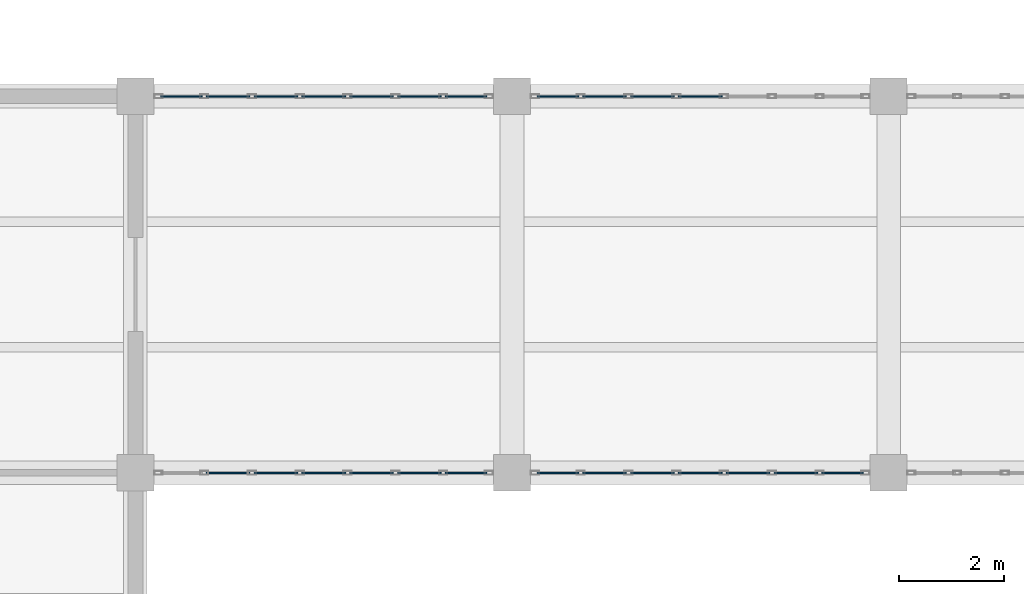
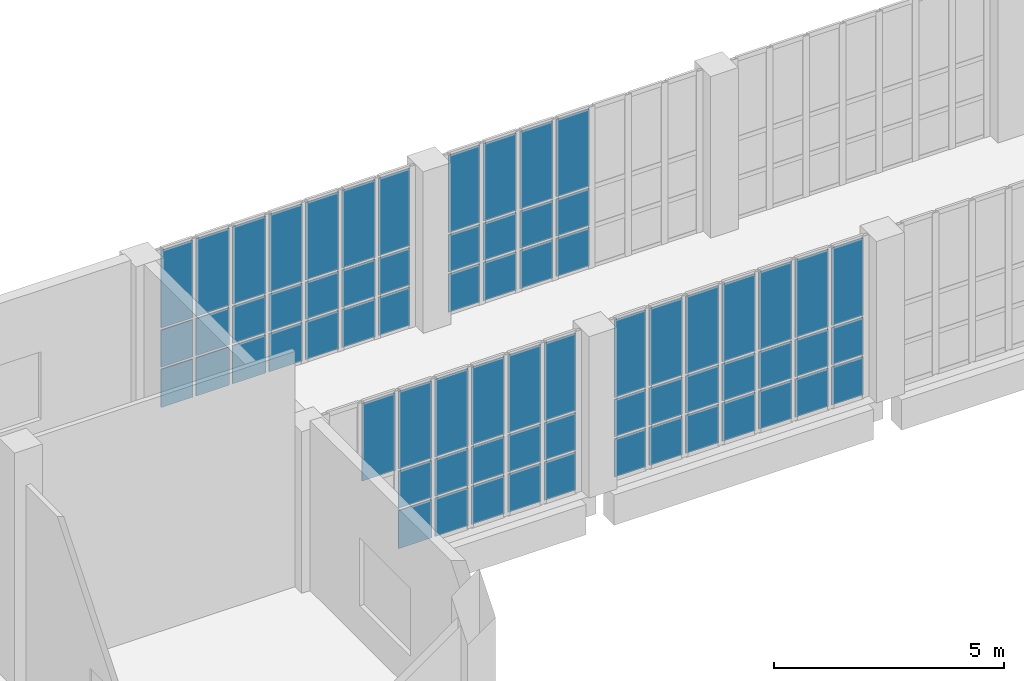
# One storey, part 74 of 108: 70 plates, 4 elements without a shape of their own.
"""IFC4 building model written with IfcOpenShell, lengths in metres."""

from ifc_helpers import new_model, si_unit, direction, frame, origin, origin_2d, place, context, subcontext, project, spatial, rectangle, extrude, material, layer, layer_set, type_object, element, aggregate, save


model = new_model("IFC4")

# Units and contexts
model_context = context("Model", 3, precision=1e-05, world=origin(), true_north=direction((0.0, 1.0)))
body_context = subcontext(model_context, "Body", "Model", "MODEL_VIEW")
ifc_project = project(units=[si_unit("LENGTHUNIT", "METRE"), si_unit("AREAUNIT", "SQUARE_METRE"), si_unit("VOLUMEUNIT", "CUBIC_METRE"), si_unit("PLANEANGLEUNIT", "RADIAN"), si_unit("MASSUNIT", "GRAM", prefix="KILO"), si_unit("THERMODYNAMICTEMPERATUREUNIT", "KELVIN"), si_unit("POWERUNIT", "WATT")], contexts=[model_context])

# Site, building, storey
site_placement = place(None, origin())
site = spatial("IfcSite", under=ifc_project, at=site_placement, CompositionType="ELEMENT")
building_placement = place(site_placement, origin())
building = spatial("IfcBuilding", under=site, at=building_placement, Name="Kaldorven Railside Theatre", CompositionType="ELEMENT")
storey_placement = place(building_placement, frame((0.0, 0.0, 5.39990234375)))
storey = spatial("IfcBuildingStorey", under=building, at=storey_placement, Name="L01", CompositionType="ELEMENT", Elevation=5.39990234375)

# Curtain wall, plates
ifc_material = material(Name="Low-E laminated solar-control glass", Category="glass")
ifc_layer_1 = layer(ifc_material, 0.159912109375, Name="Low-E laminated solar-control glass")
ifc_layer_set_1 = layer_set([ifc_layer_1], Name="Low-E laminated solar-control glass")
curtain_wall_type = type_object("IfcCurtainWallType", Name="CWT-25", PredefinedType="USERDEFINED", material=ifc_layer_set_1)
curtain_wall_1_placement = place(storey_placement, origin())
curtain_wall_1 = element("IfcCurtainWall", 1, at=curtain_wall_1_placement, inside=storey, type_object=curtain_wall_type, Name="Sinusoidal Fluted Curtain Wall CW-L01-BS01", ObjectType="FLUTED GLAZING", PredefinedType="USERDEFINED")
ifc_layer_2 = layer(ifc_material, 0.028076171875, Name="Low-E laminated solar-control glass")
ifc_layer_set_2 = layer_set([ifc_layer_2], Name="Low-E laminated solar-control glass")
plate_type = type_object("IfcPlateType", Name="CWP-GLZ28", PredefinedType="CURTAIN_PANEL", material=ifc_layer_set_2)
plate_1_placement = place(storey_placement, frame((45.771484375, 69.60009765625, 2.169921875), z_axis=(0.0, 0.0, 1.0), x_axis=(1.0, 0.0, 0.0)))
plate_1 = element("IfcPlate", 2, at=plate_1_placement, type_object=plate_type, Name="CW-L01-BS01 panel 2.3", PredefinedType="CURTAIN_PANEL", context=body_context, shape_type="SweptSolid", body=[
    extrude(rectangle(XDim=0.834228515625, YDim=0.028076171875, at=origin_2d()), origin(), (0.0, 0.0, 1.0), 2.050048828125),
])
plate_2_placement = place(storey_placement, frame((46.685791015625, 69.60009765625, 0.06005859375), z_axis=(0.0, 0.0, 1.0), x_axis=(1.0, 0.0, 0.0)))
plate_2 = element("IfcPlate", 3, at=plate_2_placement, type_object=plate_type, Name="CW-L01-BS01 panel 3.1", PredefinedType="CURTAIN_PANEL", context=body_context, shape_type="SweptSolid", body=[
    extrude(rectangle(XDim=0.834228515625, YDim=0.028076171875, at=origin_2d()), origin(), (0.0, 0.0, 1.0), 1.010009765625),
])
plate_3_placement = place(storey_placement, frame((46.685791015625, 69.60009765625, 1.130126953125), z_axis=(0.0, 0.0, 1.0), x_axis=(1.0, 0.0, 0.0)))
plate_3 = element("IfcPlate", 4, at=plate_3_placement, type_object=plate_type, Name="CW-L01-BS01 panel 3.2", PredefinedType="CURTAIN_PANEL", context=body_context, shape_type="SweptSolid", body=[
    extrude(rectangle(XDim=0.834228515625, YDim=0.028076171875, at=origin_2d()), origin(), (0.0, 0.0, 1.0), 0.97998046875),
])
plate_4_placement = place(storey_placement, frame((46.685791015625, 69.60009765625, 2.169921875), z_axis=(0.0, 0.0, 1.0), x_axis=(1.0, 0.0, 0.0)))
plate_4 = element("IfcPlate", 5, at=plate_4_placement, type_object=plate_type, Name="CW-L01-BS01 panel 3.3", PredefinedType="CURTAIN_PANEL", context=body_context, shape_type="SweptSolid", body=[
    extrude(rectangle(XDim=0.834228515625, YDim=0.028076171875, at=origin_2d()), origin(), (0.0, 0.0, 1.0), 2.050048828125),
])
plate_5_placement = place(storey_placement, frame((47.60009765625, 69.60009765625, 0.06005859375), z_axis=(0.0, 0.0, 1.0), x_axis=(1.0, 0.0, 0.0)))
plate_5 = element("IfcPlate", 6, at=plate_5_placement, type_object=plate_type, Name="CW-L01-BS01 panel 4.1", PredefinedType="CURTAIN_PANEL", context=body_context, shape_type="SweptSolid", body=[
    extrude(rectangle(XDim=0.834228515625, YDim=0.028076171875, at=origin_2d()), origin(), (0.0, 0.0, 1.0), 1.010009765625),
])
plate_6_placement = place(storey_placement, frame((47.60009765625, 69.60009765625, 1.130126953125), z_axis=(0.0, 0.0, 1.0), x_axis=(1.0, 0.0, 0.0)))
plate_6 = element("IfcPlate", 7, at=plate_6_placement, type_object=plate_type, Name="CW-L01-BS01 panel 4.2", PredefinedType="CURTAIN_PANEL", context=body_context, shape_type="SweptSolid", body=[
    extrude(rectangle(XDim=0.834228515625, YDim=0.028076171875, at=origin_2d()), origin(), (0.0, 0.0, 1.0), 0.97998046875),
])
plate_7_placement = place(storey_placement, frame((47.60009765625, 69.60009765625, 2.169921875), z_axis=(0.0, 0.0, 1.0), x_axis=(1.0, 0.0, 0.0)))
plate_7 = element("IfcPlate", 8, at=plate_7_placement, type_object=plate_type, Name="CW-L01-BS01 panel 4.3", PredefinedType="CURTAIN_PANEL", context=body_context, shape_type="SweptSolid", body=[
    extrude(rectangle(XDim=0.834228515625, YDim=0.028076171875, at=origin_2d()), origin(), (0.0, 0.0, 1.0), 2.050048828125),
])
plate_8_placement = place(storey_placement, frame((48.514404296875, 69.60009765625, 0.06005859375), z_axis=(0.0, 0.0, 1.0), x_axis=(1.0, 0.0, 0.0)))
plate_8 = element("IfcPlate", 9, at=plate_8_placement, type_object=plate_type, Name="CW-L01-BS01 panel 5.1", PredefinedType="CURTAIN_PANEL", context=body_context, shape_type="SweptSolid", body=[
    extrude(rectangle(XDim=0.834228515625, YDim=0.028076171875, at=origin_2d()), origin(), (0.0, 0.0, 1.0), 1.010009765625),
])
plate_9_placement = place(storey_placement, frame((48.514404296875, 69.60009765625, 1.130126953125), z_axis=(0.0, 0.0, 1.0), x_axis=(1.0, 0.0, 0.0)))
plate_9 = element("IfcPlate", 10, at=plate_9_placement, type_object=plate_type, Name="CW-L01-BS01 panel 5.2", PredefinedType="CURTAIN_PANEL", context=body_context, shape_type="SweptSolid", body=[
    extrude(rectangle(XDim=0.834228515625, YDim=0.028076171875, at=origin_2d()), origin(), (0.0, 0.0, 1.0), 0.97998046875),
])
plate_10_placement = place(storey_placement, frame((48.514404296875, 69.60009765625, 2.169921875), z_axis=(0.0, 0.0, 1.0), x_axis=(1.0, 0.0, 0.0)))
plate_10 = element("IfcPlate", 11, at=plate_10_placement, type_object=plate_type, Name="CW-L01-BS01 panel 5.3", PredefinedType="CURTAIN_PANEL", context=body_context, shape_type="SweptSolid", body=[
    extrude(rectangle(XDim=0.834228515625, YDim=0.028076171875, at=origin_2d()), origin(), (0.0, 0.0, 1.0), 2.050048828125),
])
plate_11_placement = place(storey_placement, frame((49.428466796875, 69.60009765625, 0.06005859375), z_axis=(0.0, 0.0, 1.0), x_axis=(1.0, 0.0, 0.0)))
plate_11 = element("IfcPlate", 12, at=plate_11_placement, type_object=plate_type, Name="CW-L01-BS01 panel 6.1", PredefinedType="CURTAIN_PANEL", context=body_context, shape_type="SweptSolid", body=[
    extrude(rectangle(XDim=0.834228515625, YDim=0.028076171875, at=origin_2d()), origin(), (0.0, 0.0, 1.0), 1.010009765625),
])
plate_12_placement = place(storey_placement, frame((49.428466796875, 69.60009765625, 1.130126953125), z_axis=(0.0, 0.0, 1.0), x_axis=(1.0, 0.0, 0.0)))
plate_12 = element("IfcPlate", 13, at=plate_12_placement, type_object=plate_type, Name="CW-L01-BS01 panel 6.2", PredefinedType="CURTAIN_PANEL", context=body_context, shape_type="SweptSolid", body=[
    extrude(rectangle(XDim=0.834228515625, YDim=0.028076171875, at=origin_2d()), origin(), (0.0, 0.0, 1.0), 0.97998046875),
])
plate_13_placement = place(storey_placement, frame((49.428466796875, 69.60009765625, 2.169921875), z_axis=(0.0, 0.0, 1.0), x_axis=(1.0, 0.0, 0.0)))
plate_13 = element("IfcPlate", 14, at=plate_13_placement, type_object=plate_type, Name="CW-L01-BS01 panel 6.3", PredefinedType="CURTAIN_PANEL", context=body_context, shape_type="SweptSolid", body=[
    extrude(rectangle(XDim=0.834228515625, YDim=0.028076171875, at=origin_2d()), origin(), (0.0, 0.0, 1.0), 2.050048828125),
])
plate_14_placement = place(storey_placement, frame((50.32275390625, 69.60009765625, 0.06005859375), z_axis=(0.0, 0.0, 1.0), x_axis=(1.0, 0.0, 0.0)))
plate_14 = element("IfcPlate", 15, at=plate_14_placement, type_object=plate_type, Name="CW-L01-BS01 panel 7.1", PredefinedType="CURTAIN_PANEL", context=body_context, shape_type="SweptSolid", body=[
    extrude(rectangle(XDim=0.794189453125, YDim=0.028076171875, at=origin_2d()), origin(), (0.0, 0.0, 1.0), 1.010009765625),
])
plate_15_placement = place(storey_placement, frame((50.32275390625, 69.60009765625, 1.130126953125), z_axis=(0.0, 0.0, 1.0), x_axis=(1.0, 0.0, 0.0)))
plate_15 = element("IfcPlate", 16, at=plate_15_placement, type_object=plate_type, Name="CW-L01-BS01 panel 7.2", PredefinedType="CURTAIN_PANEL", context=body_context, shape_type="SweptSolid", body=[
    extrude(rectangle(XDim=0.794189453125, YDim=0.028076171875, at=origin_2d()), origin(), (0.0, 0.0, 1.0), 0.97998046875),
])
plate_16_placement = place(storey_placement, frame((50.32275390625, 69.60009765625, 2.169921875), z_axis=(0.0, 0.0, 1.0), x_axis=(1.0, 0.0, 0.0)))
plate_16 = element("IfcPlate", 17, at=plate_16_placement, type_object=plate_type, Name="CW-L01-BS01 panel 7.3", PredefinedType="CURTAIN_PANEL", context=body_context, shape_type="SweptSolid", body=[
    extrude(rectangle(XDim=0.794189453125, YDim=0.028076171875, at=origin_2d()), origin(), (0.0, 0.0, 1.0), 2.050048828125),
])
aggregate(curtain_wall_1, [plate_1, plate_2, plate_3, plate_4, plate_5, plate_6, plate_7, plate_8, plate_9, plate_10, plate_11, plate_12, plate_13, plate_14, plate_15, plate_16])

curtain_wall_2_placement = place(storey_placement, origin())
curtain_wall_2 = element("IfcCurtainWall", 18, at=curtain_wall_2_placement, inside=storey, type_object=curtain_wall_type, Name="Sinusoidal Fluted Curtain Wall CW-L01-BN01", ObjectType="FLUTED GLAZING", PredefinedType="USERDEFINED")
plate_17_placement = place(storey_placement, frame((44.877197265625, 76.800048828125, 0.06005859375), z_axis=(0.0, 0.0, 1.0), x_axis=(1.0, 0.0, 0.0)))
plate_17 = element("IfcPlate", 19, at=plate_17_placement, type_object=plate_type, Name="CW-L01-BN01 panel 1.1", PredefinedType="CURTAIN_PANEL", context=body_context, shape_type="SweptSolid", body=[
    extrude(rectangle(XDim=0.794189453125, YDim=0.028076171875, at=origin_2d()), origin(), (0.0, 0.0, 1.0), 1.010009765625),
])
plate_18_placement = place(storey_placement, frame((44.877197265625, 76.800048828125, 1.130126953125), z_axis=(0.0, 0.0, 1.0), x_axis=(1.0, 0.0, 0.0)))
plate_18 = element("IfcPlate", 20, at=plate_18_placement, type_object=plate_type, Name="CW-L01-BN01 panel 1.2", PredefinedType="CURTAIN_PANEL", context=body_context, shape_type="SweptSolid", body=[
    extrude(rectangle(XDim=0.794189453125, YDim=0.028076171875, at=origin_2d()), origin(), (0.0, 0.0, 1.0), 0.97998046875),
])
plate_19_placement = place(storey_placement, frame((44.877197265625, 76.800048828125, 2.169921875), z_axis=(0.0, 0.0, 1.0), x_axis=(1.0, 0.0, 0.0)))
plate_19 = element("IfcPlate", 21, at=plate_19_placement, type_object=plate_type, Name="CW-L01-BN01 panel 1.3", PredefinedType="CURTAIN_PANEL", context=body_context, shape_type="SweptSolid", body=[
    extrude(rectangle(XDim=0.794189453125, YDim=0.028076171875, at=origin_2d()), origin(), (0.0, 0.0, 1.0), 2.050048828125),
])
plate_20_placement = place(storey_placement, frame((45.771484375, 76.800048828125, 0.06005859375), z_axis=(0.0, 0.0, 1.0), x_axis=(1.0, 0.0, 0.0)))
plate_20 = element("IfcPlate", 22, at=plate_20_placement, type_object=plate_type, Name="CW-L01-BN01 panel 2.1", PredefinedType="CURTAIN_PANEL", context=body_context, shape_type="SweptSolid", body=[
    extrude(rectangle(XDim=0.834228515625, YDim=0.028076171875, at=origin_2d()), origin(), (0.0, 0.0, 1.0), 1.010009765625),
])
plate_21_placement = place(storey_placement, frame((45.771484375, 76.800048828125, 1.130126953125), z_axis=(0.0, 0.0, 1.0), x_axis=(1.0, 0.0, 0.0)))
plate_21 = element("IfcPlate", 23, at=plate_21_placement, type_object=plate_type, Name="CW-L01-BN01 panel 2.2", PredefinedType="CURTAIN_PANEL", context=body_context, shape_type="SweptSolid", body=[
    extrude(rectangle(XDim=0.834228515625, YDim=0.028076171875, at=origin_2d()), origin(), (0.0, 0.0, 1.0), 0.97998046875),
])
plate_22_placement = place(storey_placement, frame((45.771484375, 76.800048828125, 2.169921875), z_axis=(0.0, 0.0, 1.0), x_axis=(1.0, 0.0, 0.0)))
plate_22 = element("IfcPlate", 24, at=plate_22_placement, type_object=plate_type, Name="CW-L01-BN01 panel 2.3", PredefinedType="CURTAIN_PANEL", context=body_context, shape_type="SweptSolid", body=[
    extrude(rectangle(XDim=0.834228515625, YDim=0.028076171875, at=origin_2d()), origin(), (0.0, 0.0, 1.0), 2.050048828125),
])
plate_23_placement = place(storey_placement, frame((46.685791015625, 76.800048828125, 0.06005859375), z_axis=(0.0, 0.0, 1.0), x_axis=(1.0, 0.0, 0.0)))
plate_23 = element("IfcPlate", 25, at=plate_23_placement, type_object=plate_type, Name="CW-L01-BN01 panel 3.1", PredefinedType="CURTAIN_PANEL", context=body_context, shape_type="SweptSolid", body=[
    extrude(rectangle(XDim=0.834228515625, YDim=0.028076171875, at=origin_2d()), origin(), (0.0, 0.0, 1.0), 1.010009765625),
])
plate_24_placement = place(storey_placement, frame((46.685791015625, 76.800048828125, 1.130126953125), z_axis=(0.0, 0.0, 1.0), x_axis=(1.0, 0.0, 0.0)))
plate_24 = element("IfcPlate", 26, at=plate_24_placement, type_object=plate_type, Name="CW-L01-BN01 panel 3.2", PredefinedType="CURTAIN_PANEL", context=body_context, shape_type="SweptSolid", body=[
    extrude(rectangle(XDim=0.834228515625, YDim=0.028076171875, at=origin_2d()), origin(), (0.0, 0.0, 1.0), 0.97998046875),
])
plate_25_placement = place(storey_placement, frame((46.685791015625, 76.800048828125, 2.169921875), z_axis=(0.0, 0.0, 1.0), x_axis=(1.0, 0.0, 0.0)))
plate_25 = element("IfcPlate", 27, at=plate_25_placement, type_object=plate_type, Name="CW-L01-BN01 panel 3.3", PredefinedType="CURTAIN_PANEL", context=body_context, shape_type="SweptSolid", body=[
    extrude(rectangle(XDim=0.834228515625, YDim=0.028076171875, at=origin_2d()), origin(), (0.0, 0.0, 1.0), 2.050048828125),
])
plate_26_placement = place(storey_placement, frame((47.60009765625, 76.800048828125, 0.06005859375), z_axis=(0.0, 0.0, 1.0), x_axis=(1.0, 0.0, 0.0)))
plate_26 = element("IfcPlate", 28, at=plate_26_placement, type_object=plate_type, Name="CW-L01-BN01 panel 4.1", PredefinedType="CURTAIN_PANEL", context=body_context, shape_type="SweptSolid", body=[
    extrude(rectangle(XDim=0.834228515625, YDim=0.028076171875, at=origin_2d()), origin(), (0.0, 0.0, 1.0), 1.010009765625),
])
plate_27_placement = place(storey_placement, frame((47.60009765625, 76.800048828125, 1.130126953125), z_axis=(0.0, 0.0, 1.0), x_axis=(1.0, 0.0, 0.0)))
plate_27 = element("IfcPlate", 29, at=plate_27_placement, type_object=plate_type, Name="CW-L01-BN01 panel 4.2", PredefinedType="CURTAIN_PANEL", context=body_context, shape_type="SweptSolid", body=[
    extrude(rectangle(XDim=0.834228515625, YDim=0.028076171875, at=origin_2d()), origin(), (0.0, 0.0, 1.0), 0.97998046875),
])
plate_28_placement = place(storey_placement, frame((47.60009765625, 76.800048828125, 2.169921875), z_axis=(0.0, 0.0, 1.0), x_axis=(1.0, 0.0, 0.0)))
plate_28 = element("IfcPlate", 30, at=plate_28_placement, type_object=plate_type, Name="CW-L01-BN01 panel 4.3", PredefinedType="CURTAIN_PANEL", context=body_context, shape_type="SweptSolid", body=[
    extrude(rectangle(XDim=0.834228515625, YDim=0.028076171875, at=origin_2d()), origin(), (0.0, 0.0, 1.0), 2.050048828125),
])
plate_29_placement = place(storey_placement, frame((48.514404296875, 76.800048828125, 0.06005859375), z_axis=(0.0, 0.0, 1.0), x_axis=(1.0, 0.0, 0.0)))
plate_29 = element("IfcPlate", 31, at=plate_29_placement, type_object=plate_type, Name="CW-L01-BN01 panel 5.1", PredefinedType="CURTAIN_PANEL", context=body_context, shape_type="SweptSolid", body=[
    extrude(rectangle(XDim=0.834228515625, YDim=0.028076171875, at=origin_2d()), origin(), (0.0, 0.0, 1.0), 1.010009765625),
])
plate_30_placement = place(storey_placement, frame((48.514404296875, 76.800048828125, 1.130126953125), z_axis=(0.0, 0.0, 1.0), x_axis=(1.0, 0.0, 0.0)))
plate_30 = element("IfcPlate", 32, at=plate_30_placement, type_object=plate_type, Name="CW-L01-BN01 panel 5.2", PredefinedType="CURTAIN_PANEL", context=body_context, shape_type="SweptSolid", body=[
    extrude(rectangle(XDim=0.834228515625, YDim=0.028076171875, at=origin_2d()), origin(), (0.0, 0.0, 1.0), 0.97998046875),
])
plate_31_placement = place(storey_placement, frame((48.514404296875, 76.800048828125, 2.169921875), z_axis=(0.0, 0.0, 1.0), x_axis=(1.0, 0.0, 0.0)))
plate_31 = element("IfcPlate", 33, at=plate_31_placement, type_object=plate_type, Name="CW-L01-BN01 panel 5.3", PredefinedType="CURTAIN_PANEL", context=body_context, shape_type="SweptSolid", body=[
    extrude(rectangle(XDim=0.834228515625, YDim=0.028076171875, at=origin_2d()), origin(), (0.0, 0.0, 1.0), 2.050048828125),
])
plate_32_placement = place(storey_placement, frame((49.428466796875, 76.800048828125, 0.06005859375), z_axis=(0.0, 0.0, 1.0), x_axis=(1.0, 0.0, 0.0)))
plate_32 = element("IfcPlate", 34, at=plate_32_placement, type_object=plate_type, Name="CW-L01-BN01 panel 6.1", PredefinedType="CURTAIN_PANEL", context=body_context, shape_type="SweptSolid", body=[
    extrude(rectangle(XDim=0.834228515625, YDim=0.028076171875, at=origin_2d()), origin(), (0.0, 0.0, 1.0), 1.010009765625),
])
plate_33_placement = place(storey_placement, frame((49.428466796875, 76.800048828125, 1.130126953125), z_axis=(0.0, 0.0, 1.0), x_axis=(1.0, 0.0, 0.0)))
plate_33 = element("IfcPlate", 35, at=plate_33_placement, type_object=plate_type, Name="CW-L01-BN01 panel 6.2", PredefinedType="CURTAIN_PANEL", context=body_context, shape_type="SweptSolid", body=[
    extrude(rectangle(XDim=0.834228515625, YDim=0.028076171875, at=origin_2d()), origin(), (0.0, 0.0, 1.0), 0.97998046875),
])
plate_34_placement = place(storey_placement, frame((49.428466796875, 76.800048828125, 2.169921875), z_axis=(0.0, 0.0, 1.0), x_axis=(1.0, 0.0, 0.0)))
plate_34 = element("IfcPlate", 36, at=plate_34_placement, type_object=plate_type, Name="CW-L01-BN01 panel 6.3", PredefinedType="CURTAIN_PANEL", context=body_context, shape_type="SweptSolid", body=[
    extrude(rectangle(XDim=0.834228515625, YDim=0.028076171875, at=origin_2d()), origin(), (0.0, 0.0, 1.0), 2.050048828125),
])
plate_35_placement = place(storey_placement, frame((50.32275390625, 76.800048828125, 0.06005859375), z_axis=(0.0, 0.0, 1.0), x_axis=(1.0, 0.0, 0.0)))
plate_35 = element("IfcPlate", 37, at=plate_35_placement, type_object=plate_type, Name="CW-L01-BN01 panel 7.1", PredefinedType="CURTAIN_PANEL", context=body_context, shape_type="SweptSolid", body=[
    extrude(rectangle(XDim=0.794189453125, YDim=0.028076171875, at=origin_2d()), origin(), (0.0, 0.0, 1.0), 1.010009765625),
])
plate_36_placement = place(storey_placement, frame((50.32275390625, 76.800048828125, 1.130126953125), z_axis=(0.0, 0.0, 1.0), x_axis=(1.0, 0.0, 0.0)))
plate_36 = element("IfcPlate", 38, at=plate_36_placement, type_object=plate_type, Name="CW-L01-BN01 panel 7.2", PredefinedType="CURTAIN_PANEL", context=body_context, shape_type="SweptSolid", body=[
    extrude(rectangle(XDim=0.794189453125, YDim=0.028076171875, at=origin_2d()), origin(), (0.0, 0.0, 1.0), 0.97998046875),
])
plate_37_placement = place(storey_placement, frame((50.32275390625, 76.800048828125, 2.169921875), z_axis=(0.0, 0.0, 1.0), x_axis=(1.0, 0.0, 0.0)))
plate_37 = element("IfcPlate", 39, at=plate_37_placement, type_object=plate_type, Name="CW-L01-BN01 panel 7.3", PredefinedType="CURTAIN_PANEL", context=body_context, shape_type="SweptSolid", body=[
    extrude(rectangle(XDim=0.794189453125, YDim=0.028076171875, at=origin_2d()), origin(), (0.0, 0.0, 1.0), 2.050048828125),
])
aggregate(curtain_wall_2, [plate_17, plate_18, plate_19, plate_20, plate_21, plate_22, plate_23, plate_24, plate_25, plate_26, plate_27, plate_28, plate_29, plate_30, plate_31, plate_32, plate_33, plate_34, plate_35, plate_36, plate_37])

curtain_wall_3_placement = place(storey_placement, origin())
curtain_wall_3 = element("IfcCurtainWall", 40, at=curtain_wall_3_placement, inside=storey, type_object=curtain_wall_type, Name="Sinusoidal Fluted Curtain Wall CW-L01-BS02", ObjectType="FLUTED GLAZING", PredefinedType="USERDEFINED")
plate_38_placement = place(storey_placement, frame((52.0771484375, 69.60009765625, 0.06005859375), z_axis=(0.0, 0.0, 1.0), x_axis=(1.0, 0.0, 0.0)))
plate_38 = element("IfcPlate", 41, at=plate_38_placement, type_object=plate_type, Name="CW-L01-BS02 panel 1.1", PredefinedType="CURTAIN_PANEL", context=body_context, shape_type="SweptSolid", body=[
    extrude(rectangle(XDim=0.794189453125, YDim=0.028076171875, at=origin_2d()), origin(), (0.0, 0.0, 1.0), 1.010009765625),
])
plate_39_placement = place(storey_placement, frame((52.0771484375, 69.60009765625, 1.130126953125), z_axis=(0.0, 0.0, 1.0), x_axis=(1.0, 0.0, 0.0)))
plate_39 = element("IfcPlate", 42, at=plate_39_placement, type_object=plate_type, Name="CW-L01-BS02 panel 1.2", PredefinedType="CURTAIN_PANEL", context=body_context, shape_type="SweptSolid", body=[
    extrude(rectangle(XDim=0.794189453125, YDim=0.028076171875, at=origin_2d()), origin(), (0.0, 0.0, 1.0), 0.97998046875),
])
plate_40_placement = place(storey_placement, frame((52.0771484375, 69.60009765625, 2.169921875), z_axis=(0.0, 0.0, 1.0), x_axis=(1.0, 0.0, 0.0)))
plate_40 = element("IfcPlate", 43, at=plate_40_placement, type_object=plate_type, Name="CW-L01-BS02 panel 1.3", PredefinedType="CURTAIN_PANEL", context=body_context, shape_type="SweptSolid", body=[
    extrude(rectangle(XDim=0.794189453125, YDim=0.028076171875, at=origin_2d()), origin(), (0.0, 0.0, 1.0), 2.050048828125),
])
plate_41_placement = place(storey_placement, frame((52.971435546875, 69.60009765625, 0.06005859375), z_axis=(0.0, 0.0, 1.0), x_axis=(1.0, 0.0, 0.0)))
plate_41 = element("IfcPlate", 44, at=plate_41_placement, type_object=plate_type, Name="CW-L01-BS02 panel 2.1", PredefinedType="CURTAIN_PANEL", context=body_context, shape_type="SweptSolid", body=[
    extrude(rectangle(XDim=0.834228515625, YDim=0.028076171875, at=origin_2d()), origin(), (0.0, 0.0, 1.0), 1.010009765625),
])
plate_42_placement = place(storey_placement, frame((52.971435546875, 69.60009765625, 1.130126953125), z_axis=(0.0, 0.0, 1.0), x_axis=(1.0, 0.0, 0.0)))
plate_42 = element("IfcPlate", 45, at=plate_42_placement, type_object=plate_type, Name="CW-L01-BS02 panel 2.2", PredefinedType="CURTAIN_PANEL", context=body_context, shape_type="SweptSolid", body=[
    extrude(rectangle(XDim=0.834228515625, YDim=0.028076171875, at=origin_2d()), origin(), (0.0, 0.0, 1.0), 0.97998046875),
])
plate_43_placement = place(storey_placement, frame((52.971435546875, 69.60009765625, 2.169921875), z_axis=(0.0, 0.0, 1.0), x_axis=(1.0, 0.0, 0.0)))
plate_43 = element("IfcPlate", 46, at=plate_43_placement, type_object=plate_type, Name="CW-L01-BS02 panel 2.3", PredefinedType="CURTAIN_PANEL", context=body_context, shape_type="SweptSolid", body=[
    extrude(rectangle(XDim=0.834228515625, YDim=0.028076171875, at=origin_2d()), origin(), (0.0, 0.0, 1.0), 2.050048828125),
])
plate_44_placement = place(storey_placement, frame((53.8857421875, 69.60009765625, 0.06005859375), z_axis=(0.0, 0.0, 1.0), x_axis=(1.0, 0.0, 0.0)))
plate_44 = element("IfcPlate", 47, at=plate_44_placement, type_object=plate_type, Name="CW-L01-BS02 panel 3.1", PredefinedType="CURTAIN_PANEL", context=body_context, shape_type="SweptSolid", body=[
    extrude(rectangle(XDim=0.834228515625, YDim=0.028076171875, at=origin_2d()), origin(), (0.0, 0.0, 1.0), 1.010009765625),
])
plate_45_placement = place(storey_placement, frame((53.8857421875, 69.60009765625, 1.130126953125), z_axis=(0.0, 0.0, 1.0), x_axis=(1.0, 0.0, 0.0)))
plate_45 = element("IfcPlate", 48, at=plate_45_placement, type_object=plate_type, Name="CW-L01-BS02 panel 3.2", PredefinedType="CURTAIN_PANEL", context=body_context, shape_type="SweptSolid", body=[
    extrude(rectangle(XDim=0.834228515625, YDim=0.028076171875, at=origin_2d()), origin(), (0.0, 0.0, 1.0), 0.97998046875),
])
plate_46_placement = place(storey_placement, frame((53.8857421875, 69.60009765625, 2.169921875), z_axis=(0.0, 0.0, 1.0), x_axis=(1.0, 0.0, 0.0)))
plate_46 = element("IfcPlate", 49, at=plate_46_placement, type_object=plate_type, Name="CW-L01-BS02 panel 3.3", PredefinedType="CURTAIN_PANEL", context=body_context, shape_type="SweptSolid", body=[
    extrude(rectangle(XDim=0.834228515625, YDim=0.028076171875, at=origin_2d()), origin(), (0.0, 0.0, 1.0), 2.050048828125),
])
plate_47_placement = place(storey_placement, frame((54.800048828125, 69.60009765625, 0.06005859375), z_axis=(0.0, 0.0, 1.0), x_axis=(1.0, 0.0, 0.0)))
plate_47 = element("IfcPlate", 50, at=plate_47_placement, type_object=plate_type, Name="CW-L01-BS02 panel 4.1", PredefinedType="CURTAIN_PANEL", context=body_context, shape_type="SweptSolid", body=[
    extrude(rectangle(XDim=0.834228515625, YDim=0.028076171875, at=origin_2d()), origin(), (0.0, 0.0, 1.0), 1.010009765625),
])
plate_48_placement = place(storey_placement, frame((54.800048828125, 69.60009765625, 1.130126953125), z_axis=(0.0, 0.0, 1.0), x_axis=(1.0, 0.0, 0.0)))
plate_48 = element("IfcPlate", 51, at=plate_48_placement, type_object=plate_type, Name="CW-L01-BS02 panel 4.2", PredefinedType="CURTAIN_PANEL", context=body_context, shape_type="SweptSolid", body=[
    extrude(rectangle(XDim=0.834228515625, YDim=0.028076171875, at=origin_2d()), origin(), (0.0, 0.0, 1.0), 0.97998046875),
])
plate_49_placement = place(storey_placement, frame((54.800048828125, 69.60009765625, 2.169921875), z_axis=(0.0, 0.0, 1.0), x_axis=(1.0, 0.0, 0.0)))
plate_49 = element("IfcPlate", 52, at=plate_49_placement, type_object=plate_type, Name="CW-L01-BS02 panel 4.3", PredefinedType="CURTAIN_PANEL", context=body_context, shape_type="SweptSolid", body=[
    extrude(rectangle(XDim=0.834228515625, YDim=0.028076171875, at=origin_2d()), origin(), (0.0, 0.0, 1.0), 2.050048828125),
])
plate_50_placement = place(storey_placement, frame((55.71435546875, 69.60009765625, 0.06005859375), z_axis=(0.0, 0.0, 1.0), x_axis=(1.0, 0.0, 0.0)))
plate_50 = element("IfcPlate", 53, at=plate_50_placement, type_object=plate_type, Name="CW-L01-BS02 panel 5.1", PredefinedType="CURTAIN_PANEL", context=body_context, shape_type="SweptSolid", body=[
    extrude(rectangle(XDim=0.834228515625, YDim=0.028076171875, at=origin_2d()), origin(), (0.0, 0.0, 1.0), 1.010009765625),
])
plate_51_placement = place(storey_placement, frame((55.71435546875, 69.60009765625, 1.130126953125), z_axis=(0.0, 0.0, 1.0), x_axis=(1.0, 0.0, 0.0)))
plate_51 = element("IfcPlate", 54, at=plate_51_placement, type_object=plate_type, Name="CW-L01-BS02 panel 5.2", PredefinedType="CURTAIN_PANEL", context=body_context, shape_type="SweptSolid", body=[
    extrude(rectangle(XDim=0.834228515625, YDim=0.028076171875, at=origin_2d()), origin(), (0.0, 0.0, 1.0), 0.97998046875),
])
plate_52_placement = place(storey_placement, frame((55.71435546875, 69.60009765625, 2.169921875), z_axis=(0.0, 0.0, 1.0), x_axis=(1.0, 0.0, 0.0)))
plate_52 = element("IfcPlate", 55, at=plate_52_placement, type_object=plate_type, Name="CW-L01-BS02 panel 5.3", PredefinedType="CURTAIN_PANEL", context=body_context, shape_type="SweptSolid", body=[
    extrude(rectangle(XDim=0.834228515625, YDim=0.028076171875, at=origin_2d()), origin(), (0.0, 0.0, 1.0), 2.050048828125),
])
plate_53_placement = place(storey_placement, frame((56.628662109375, 69.60009765625, 0.06005859375), z_axis=(0.0, 0.0, 1.0), x_axis=(1.0, 0.0, 0.0)))
plate_53 = element("IfcPlate", 56, at=plate_53_placement, type_object=plate_type, Name="CW-L01-BS02 panel 6.1", PredefinedType="CURTAIN_PANEL", context=body_context, shape_type="SweptSolid", body=[
    extrude(rectangle(XDim=0.834228515625, YDim=0.028076171875, at=origin_2d()), origin(), (0.0, 0.0, 1.0), 1.010009765625),
])
plate_54_placement = place(storey_placement, frame((56.628662109375, 69.60009765625, 1.130126953125), z_axis=(0.0, 0.0, 1.0), x_axis=(1.0, 0.0, 0.0)))
plate_54 = element("IfcPlate", 57, at=plate_54_placement, type_object=plate_type, Name="CW-L01-BS02 panel 6.2", PredefinedType="CURTAIN_PANEL", context=body_context, shape_type="SweptSolid", body=[
    extrude(rectangle(XDim=0.834228515625, YDim=0.028076171875, at=origin_2d()), origin(), (0.0, 0.0, 1.0), 0.97998046875),
])
plate_55_placement = place(storey_placement, frame((56.628662109375, 69.60009765625, 2.169921875), z_axis=(0.0, 0.0, 1.0), x_axis=(1.0, 0.0, 0.0)))
plate_55 = element("IfcPlate", 58, at=plate_55_placement, type_object=plate_type, Name="CW-L01-BS02 panel 6.3", PredefinedType="CURTAIN_PANEL", context=body_context, shape_type="SweptSolid", body=[
    extrude(rectangle(XDim=0.834228515625, YDim=0.028076171875, at=origin_2d()), origin(), (0.0, 0.0, 1.0), 2.050048828125),
])
plate_56_placement = place(storey_placement, frame((57.52294921875, 69.60009765625, 0.06005859375), z_axis=(0.0, 0.0, 1.0), x_axis=(1.0, 0.0, 0.0)))
plate_56 = element("IfcPlate", 59, at=plate_56_placement, type_object=plate_type, Name="CW-L01-BS02 panel 7.1", PredefinedType="CURTAIN_PANEL", context=body_context, shape_type="SweptSolid", body=[
    extrude(rectangle(XDim=0.794189453125, YDim=0.028076171875, at=origin_2d()), origin(), (0.0, 0.0, 1.0), 1.010009765625),
])
plate_57_placement = place(storey_placement, frame((57.52294921875, 69.60009765625, 1.130126953125), z_axis=(0.0, 0.0, 1.0), x_axis=(1.0, 0.0, 0.0)))
plate_57 = element("IfcPlate", 60, at=plate_57_placement, type_object=plate_type, Name="CW-L01-BS02 panel 7.2", PredefinedType="CURTAIN_PANEL", context=body_context, shape_type="SweptSolid", body=[
    extrude(rectangle(XDim=0.794189453125, YDim=0.028076171875, at=origin_2d()), origin(), (0.0, 0.0, 1.0), 0.97998046875),
])
plate_58_placement = place(storey_placement, frame((57.52294921875, 69.60009765625, 2.169921875), z_axis=(0.0, 0.0, 1.0), x_axis=(1.0, 0.0, 0.0)))
plate_58 = element("IfcPlate", 61, at=plate_58_placement, type_object=plate_type, Name="CW-L01-BS02 panel 7.3", PredefinedType="CURTAIN_PANEL", context=body_context, shape_type="SweptSolid", body=[
    extrude(rectangle(XDim=0.794189453125, YDim=0.028076171875, at=origin_2d()), origin(), (0.0, 0.0, 1.0), 2.050048828125),
])
aggregate(curtain_wall_3, [plate_38, plate_39, plate_40, plate_41, plate_42, plate_43, plate_44, plate_45, plate_46, plate_47, plate_48, plate_49, plate_50, plate_51, plate_52, plate_53, plate_54, plate_55, plate_56, plate_57, plate_58])

curtain_wall_4_placement = place(storey_placement, origin())
curtain_wall_4 = element("IfcCurtainWall", 62, at=curtain_wall_4_placement, inside=storey, type_object=curtain_wall_type, Name="Sinusoidal Fluted Curtain Wall CW-L01-BN02", ObjectType="FLUTED GLAZING", PredefinedType="USERDEFINED")
plate_59_placement = place(storey_placement, frame((52.0771484375, 76.800048828125, 0.06005859375), z_axis=(0.0, 0.0, 1.0), x_axis=(1.0, 0.0, 0.0)))
plate_59 = element("IfcPlate", 63, at=plate_59_placement, type_object=plate_type, Name="CW-L01-BN02 panel 1.1", PredefinedType="CURTAIN_PANEL", context=body_context, shape_type="SweptSolid", body=[
    extrude(rectangle(XDim=0.794189453125, YDim=0.028076171875, at=origin_2d()), origin(), (0.0, 0.0, 1.0), 1.010009765625),
])
plate_60_placement = place(storey_placement, frame((52.0771484375, 76.800048828125, 1.130126953125), z_axis=(0.0, 0.0, 1.0), x_axis=(1.0, 0.0, 0.0)))
plate_60 = element("IfcPlate", 64, at=plate_60_placement, type_object=plate_type, Name="CW-L01-BN02 panel 1.2", PredefinedType="CURTAIN_PANEL", context=body_context, shape_type="SweptSolid", body=[
    extrude(rectangle(XDim=0.794189453125, YDim=0.028076171875, at=origin_2d()), origin(), (0.0, 0.0, 1.0), 0.97998046875),
])
plate_61_placement = place(storey_placement, frame((52.0771484375, 76.800048828125, 2.169921875), z_axis=(0.0, 0.0, 1.0), x_axis=(1.0, 0.0, 0.0)))
plate_61 = element("IfcPlate", 65, at=plate_61_placement, type_object=plate_type, Name="CW-L01-BN02 panel 1.3", PredefinedType="CURTAIN_PANEL", context=body_context, shape_type="SweptSolid", body=[
    extrude(rectangle(XDim=0.794189453125, YDim=0.028076171875, at=origin_2d()), origin(), (0.0, 0.0, 1.0), 2.050048828125),
])
plate_62_placement = place(storey_placement, frame((52.971435546875, 76.800048828125, 0.06005859375), z_axis=(0.0, 0.0, 1.0), x_axis=(1.0, 0.0, 0.0)))
plate_62 = element("IfcPlate", 66, at=plate_62_placement, type_object=plate_type, Name="CW-L01-BN02 panel 2.1", PredefinedType="CURTAIN_PANEL", context=body_context, shape_type="SweptSolid", body=[
    extrude(rectangle(XDim=0.834228515625, YDim=0.028076171875, at=origin_2d()), origin(), (0.0, 0.0, 1.0), 1.010009765625),
])
plate_63_placement = place(storey_placement, frame((52.971435546875, 76.800048828125, 1.130126953125), z_axis=(0.0, 0.0, 1.0), x_axis=(1.0, 0.0, 0.0)))
plate_63 = element("IfcPlate", 67, at=plate_63_placement, type_object=plate_type, Name="CW-L01-BN02 panel 2.2", PredefinedType="CURTAIN_PANEL", context=body_context, shape_type="SweptSolid", body=[
    extrude(rectangle(XDim=0.834228515625, YDim=0.028076171875, at=origin_2d()), origin(), (0.0, 0.0, 1.0), 0.97998046875),
])
plate_64_placement = place(storey_placement, frame((52.971435546875, 76.800048828125, 2.169921875), z_axis=(0.0, 0.0, 1.0), x_axis=(1.0, 0.0, 0.0)))
plate_64 = element("IfcPlate", 68, at=plate_64_placement, type_object=plate_type, Name="CW-L01-BN02 panel 2.3", PredefinedType="CURTAIN_PANEL", context=body_context, shape_type="SweptSolid", body=[
    extrude(rectangle(XDim=0.834228515625, YDim=0.028076171875, at=origin_2d()), origin(), (0.0, 0.0, 1.0), 2.050048828125),
])
plate_65_placement = place(storey_placement, frame((53.8857421875, 76.800048828125, 0.06005859375), z_axis=(0.0, 0.0, 1.0), x_axis=(1.0, 0.0, 0.0)))
plate_65 = element("IfcPlate", 69, at=plate_65_placement, type_object=plate_type, Name="CW-L01-BN02 panel 3.1", PredefinedType="CURTAIN_PANEL", context=body_context, shape_type="SweptSolid", body=[
    extrude(rectangle(XDim=0.834228515625, YDim=0.028076171875, at=origin_2d()), origin(), (0.0, 0.0, 1.0), 1.010009765625),
])
plate_66_placement = place(storey_placement, frame((53.8857421875, 76.800048828125, 1.130126953125), z_axis=(0.0, 0.0, 1.0), x_axis=(1.0, 0.0, 0.0)))
plate_66 = element("IfcPlate", 70, at=plate_66_placement, type_object=plate_type, Name="CW-L01-BN02 panel 3.2", PredefinedType="CURTAIN_PANEL", context=body_context, shape_type="SweptSolid", body=[
    extrude(rectangle(XDim=0.834228515625, YDim=0.028076171875, at=origin_2d()), origin(), (0.0, 0.0, 1.0), 0.97998046875),
])
plate_67_placement = place(storey_placement, frame((53.8857421875, 76.800048828125, 2.169921875), z_axis=(0.0, 0.0, 1.0), x_axis=(1.0, 0.0, 0.0)))
plate_67 = element("IfcPlate", 71, at=plate_67_placement, type_object=plate_type, Name="CW-L01-BN02 panel 3.3", PredefinedType="CURTAIN_PANEL", context=body_context, shape_type="SweptSolid", body=[
    extrude(rectangle(XDim=0.834228515625, YDim=0.028076171875, at=origin_2d()), origin(), (0.0, 0.0, 1.0), 2.050048828125),
])
plate_68_placement = place(storey_placement, frame((54.800048828125, 76.800048828125, 0.06005859375), z_axis=(0.0, 0.0, 1.0), x_axis=(1.0, 0.0, 0.0)))
plate_68 = element("IfcPlate", 72, at=plate_68_placement, type_object=plate_type, Name="CW-L01-BN02 panel 4.1", PredefinedType="CURTAIN_PANEL", context=body_context, shape_type="SweptSolid", body=[
    extrude(rectangle(XDim=0.834228515625, YDim=0.028076171875, at=origin_2d()), origin(), (0.0, 0.0, 1.0), 1.010009765625),
])
plate_69_placement = place(storey_placement, frame((54.800048828125, 76.800048828125, 1.130126953125), z_axis=(0.0, 0.0, 1.0), x_axis=(1.0, 0.0, 0.0)))
plate_69 = element("IfcPlate", 73, at=plate_69_placement, type_object=plate_type, Name="CW-L01-BN02 panel 4.2", PredefinedType="CURTAIN_PANEL", context=body_context, shape_type="SweptSolid", body=[
    extrude(rectangle(XDim=0.834228515625, YDim=0.028076171875, at=origin_2d()), origin(), (0.0, 0.0, 1.0), 0.97998046875),
])
plate_70_placement = place(storey_placement, frame((54.800048828125, 76.800048828125, 2.169921875), z_axis=(0.0, 0.0, 1.0), x_axis=(1.0, 0.0, 0.0)))
plate_70 = element("IfcPlate", 74, at=plate_70_placement, type_object=plate_type, Name="CW-L01-BN02 panel 4.3", PredefinedType="CURTAIN_PANEL", context=body_context, shape_type="SweptSolid", body=[
    extrude(rectangle(XDim=0.834228515625, YDim=0.028076171875, at=origin_2d()), origin(), (0.0, 0.0, 1.0), 2.050048828125),
])
aggregate(curtain_wall_4, [plate_59, plate_60, plate_61, plate_62, plate_63, plate_64, plate_65, plate_66, plate_67, plate_68, plate_69, plate_70])

save(model, "model.ifc")
